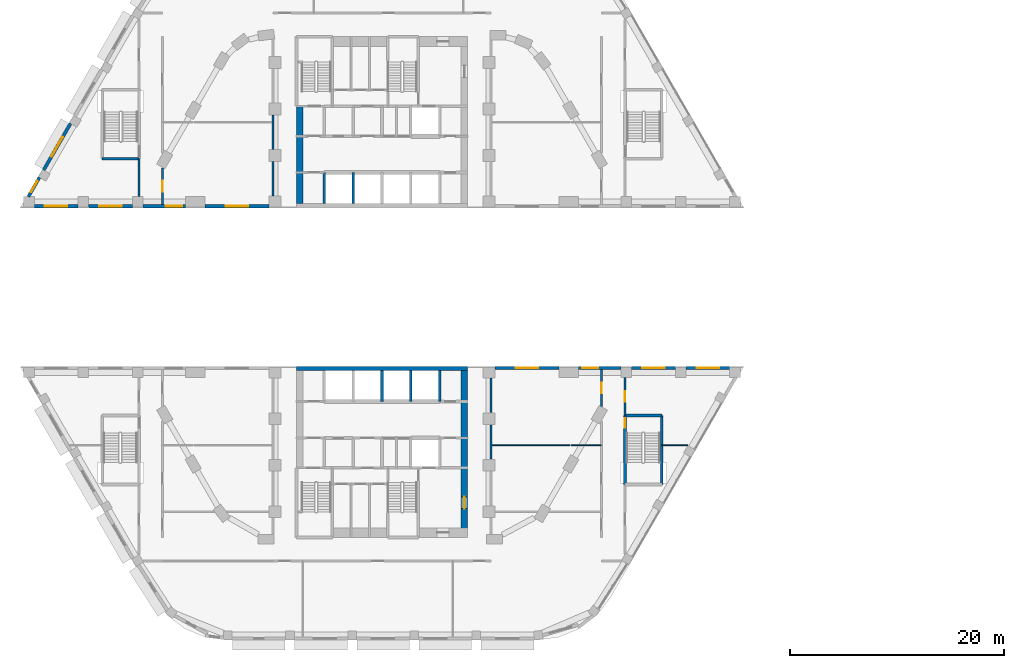
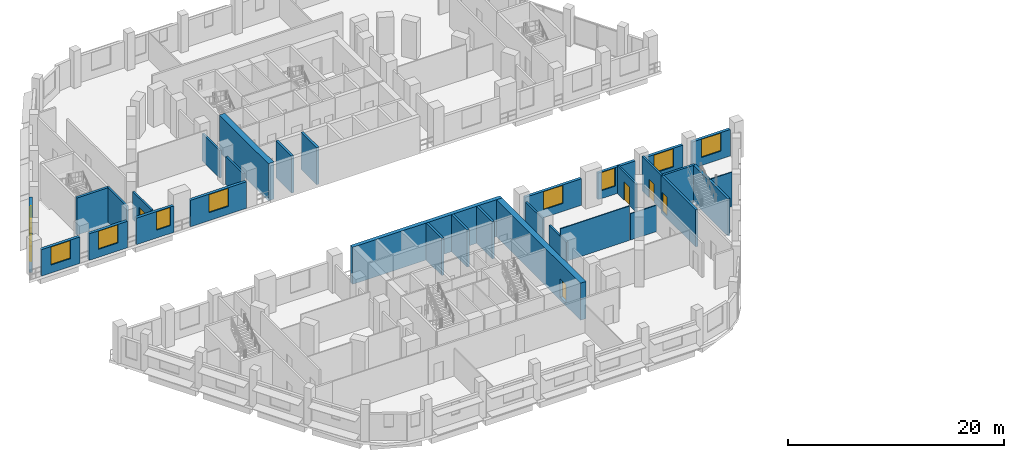
# One storey, part 22 of 47: 33 walls, 10 windows, 5 doors, 15 openings.
"""IFC4 building model written with IfcOpenShell, lengths in metres."""

from ifc_helpers import new_model, si_unit, direction, frame, frame_2d, origin, place, context, subcontext, project, spatial, rectangle, extrude, material, layer, layer_set, type_object, element, fill, save


model = new_model("IFC4")

# Units and contexts
model_context = context("Model", 3, precision=1e-05, world=origin(), true_north=direction((0.0, 1.0)))
body_context = subcontext(model_context, "Body", "Model", "MODEL_VIEW")
ifc_project = project(units=[si_unit("LENGTHUNIT", "METRE"), si_unit("AREAUNIT", "SQUARE_METRE"), si_unit("VOLUMEUNIT", "CUBIC_METRE"), si_unit("PLANEANGLEUNIT", "RADIAN"), si_unit("MASSUNIT", "GRAM", prefix="KILO")], contexts=[model_context])

# Site, building, storey
site_placement = place(None, origin())
site = spatial("IfcSite", under=ifc_project, at=site_placement, CompositionType="ELEMENT")
building_placement = place(site_placement, origin())
building = spatial("IfcBuilding", under=site, at=building_placement, Name="Nakaniwa Court", CompositionType="ELEMENT")
storey_placement = place(building_placement, frame((0.0, 0.0, 15.60009765625)))
storey = spatial("IfcBuildingStorey", under=building, at=storey_placement, Name="L03", CompositionType="ELEMENT", Elevation=15.60009765625)

# Wall, opening, door
ifc_material_1 = material(Name="Acoustic double stud partition")
ifc_layer_1 = layer(ifc_material_1, 0.199951171875)
ifc_layer_set_1 = layer_set([ifc_layer_1], Name="Acoustic double stud partition")
wall_type_1 = type_object("IfcWallType", Name="Acoustic double stud partition 200", PredefinedType="PARTITIONING", material=ifc_layer_set_1)
wall_1_placement = place(storey_placement, frame((102.699951171875, 71.532958984375, 0.0), z_axis=(0.0, 0.0, 1.0), x_axis=(0.0, -1.0, 0.0)))
wall_1 = element("IfcWall", 1, at=wall_1_placement, inside=storey, type_object=wall_type_1, Name="Partition PW-082", PredefinedType="PARTITIONING", context=body_context, shape_type="SweptSolid", body=[
    extrude(rectangle(XDim=3.535888671875, YDim=0.199951171875, at=frame_2d((1.76806640625, 0.0))), origin(), (0.0, 0.0, 1.0), 3.89990234375),
])
opening_1_placement = place(wall_1_placement, frame((1.26806640625, 0.0, 0.0)))
opening_1 = element("IfcOpeningElement", 2, at=opening_1_placement, cuts=wall_1, Name="Opening D-02-10", PredefinedType="OPENING", context=body_context, shape_type="SweptSolid", body=[
    extrude(rectangle(XDim=1.0, YDim=2.10009765625, at=frame_2d((0.5, 1.050048828125))), frame((0.0, 0.10986328125, 0.0), z_axis=(0.0, -1.0, 0.0), x_axis=(1.0, 0.0, 0.0)), (0.0, 0.0, 1.0), 0.219970703125),
])
ifc_material_2 = material(Name="Solid core timber door set, black veneer", Category="wood")
door_type_1 = type_object("IfcDoorType", Name="Internal door 1000", OperationType="NOTDEFINED", PredefinedType="DOOR", material=ifc_material_2)
door_1_placement = place(opening_1_placement, origin())
door_1 = element("IfcDoor", 3, at=door_1_placement, inside=storey, type_object=door_type_1, Name="Door D-02-10 L03-042", OperationType="SINGLE_SWING_LEFT", OverallHeight=2.10009765625, OverallWidth=1.0, PredefinedType="DOOR", context=body_context, shape_type="SweptSolid", body=[
    extrude(rectangle(XDim=1.0, YDim=2.10009765625, at=frame_2d((0.5, 1.050048828125))), frame((0.0, 0.02490234375, 0.0), z_axis=(0.0, -1.0, 0.0), x_axis=(1.0, 0.0, 0.0)), (0.0, 0.0, 1.0), 0.050048828125),
])
fill(opening_1, door_1)

wall_2_placement = place(storey_placement, frame((100.5, 68.850830078125, 0.0), z_axis=(0.0, 0.0, 1.0), x_axis=(0.0, 1.0, 0.0)))
wall_2 = element("IfcWall", 4, at=wall_2_placement, inside=storey, type_object=wall_type_1, Name="Partition PW-086", PredefinedType="PARTITIONING", context=body_context, shape_type="SweptSolid", body=[
    extrude(rectangle(XDim=3.44921875, YDim=0.199951171875, at=frame_2d((1.724609375, 0.0))), origin(), (0.0, 0.0, 1.0), 3.1298828125),
])
opening_2_placement = place(wall_2_placement, frame((1.22607421875, 0.0, 0.0)))
opening_2 = element("IfcOpeningElement", 5, at=opening_2_placement, cuts=wall_2, Name="Opening D-02-14", PredefinedType="OPENING", context=body_context, shape_type="SweptSolid", body=[
    extrude(rectangle(XDim=1.0, YDim=2.10009765625, at=frame_2d((0.5, 1.050048828125))), frame((0.0, 0.10986328125, 0.0), z_axis=(0.0, -1.0, 0.0), x_axis=(1.0, 0.0, 0.0)), (0.0, 0.0, 1.0), 0.219970703125),
])
door_2_placement = place(opening_2_placement, origin())
door_2 = element("IfcDoor", 6, at=door_2_placement, inside=storey, type_object=door_type_1, Name="Door D-02-14 L03-046", OperationType="SINGLE_SWING_LEFT", OverallHeight=2.10009765625, OverallWidth=1.0, PredefinedType="DOOR", context=body_context, shape_type="SweptSolid", body=[
    extrude(rectangle(XDim=1.0, YDim=2.10009765625, at=frame_2d((0.5, 1.050048828125))), frame((0.0, 0.02490234375, 0.0), z_axis=(0.0, -1.0, 0.0), x_axis=(1.0, 0.0, 0.0)), (0.0, 0.0, 1.0), 0.050048828125),
])
fill(opening_2, door_2)

# Wall
wall_3_placement = place(storey_placement, frame((57.300048828125, 88.467041015625, 0.0), z_axis=(0.0, 0.0, 1.0), x_axis=(0.0, 1.0, 0.0)))
element("IfcWall", 7, at=wall_3_placement, inside=storey, type_object=wall_type_1, Name="Partition PW-096", PredefinedType="PARTITIONING", context=body_context, shape_type="SweptSolid", body=[
    extrude(rectangle(XDim=3.535888671875, YDim=0.199951171875, at=frame_2d((1.76806640625, 0.0))), origin(), (0.0, 0.0, 1.0), 3.89990234375),
])

# Wall, opening, door
wall_4_placement = place(storey_placement, frame((59.5, 91.149169921875, 0.0), z_axis=(0.0, 0.0, 1.0), x_axis=(0.0, -1.0, 0.0)))
wall_4 = element("IfcWall", 8, at=wall_4_placement, inside=storey, type_object=wall_type_1, Name="Partition PW-100", PredefinedType="PARTITIONING", context=body_context, shape_type="SweptSolid", body=[
    extrude(rectangle(XDim=3.44921875, YDim=0.199951171875, at=frame_2d((1.724609375, 0.0))), origin(), (0.0, 0.0, 1.0), 3.1298828125),
])
opening_3_placement = place(wall_4_placement, frame((1.22607421875, 0.0, 0.0)))
opening_3 = element("IfcOpeningElement", 9, at=opening_3_placement, cuts=wall_4, Name="Opening D-02-05", PredefinedType="OPENING", context=body_context, shape_type="SweptSolid", body=[
    extrude(rectangle(XDim=1.0, YDim=2.10009765625, at=frame_2d((0.5, 1.050048828125))), frame((0.0, 0.10986328125, 0.0), z_axis=(0.0, -1.0, 0.0), x_axis=(1.0, 0.0, 0.0)), (0.0, 0.0, 1.0), 0.219970703125),
])
door_3_placement = place(opening_3_placement, origin())
door_3 = element("IfcDoor", 10, at=door_3_placement, inside=storey, type_object=door_type_1, Name="Door D-02-05 L03-035", OperationType="SINGLE_SWING_RIGHT", OverallHeight=2.10009765625, OverallWidth=1.0, PredefinedType="DOOR", context=body_context, shape_type="SweptSolid", body=[
    extrude(rectangle(XDim=1.0, YDim=2.10009765625, at=frame_2d((0.5, 1.050048828125))), frame((0.0, 0.02490234375, 0.0), z_axis=(0.0, -1.0, 0.0), x_axis=(1.0, 0.0, 0.0)), (0.0, 0.0, 1.0), 0.050048828125),
])
fill(opening_3, door_3)

# Walls
wall_5_placement = place(storey_placement, frame((90.199951171875, 63.9169921875, 0.0), z_axis=(0.0, 0.0, 1.0), x_axis=(0.0, 1.0, 0.0)))
element("IfcWall", 11, at=wall_5_placement, inside=storey, type_object=wall_type_1, Name="Partition PW-104", PredefinedType="PARTITIONING", context=body_context, shape_type="SweptSolid", body=[
    extrude(rectangle(XDim=3.216064453125, YDim=0.199951171875, at=frame_2d((1.60791015625, 0.0))), origin(), (0.0, 0.0, 1.0), 3.1298828125),
])
for number, where, z_axis, x_axis, name in (
    (12, (90.199951171875, 68.26708984375, 0.0), (0.0, 0.0, 1.0), (0.0, 1.0, 0.0), "Partition PW-105"),
    (13, (69.800048828125, 88.51708984375, 0.0), (0.0, 0.0, 1.0), (0.0, 1.0, 0.0), "Partition PW-114"),
):
    element("IfcWall", number, at=place(storey_placement, frame(where, z_axis=z_axis, x_axis=x_axis)), inside=storey, type_object=wall_type_1, Name=name, PredefinedType="PARTITIONING", context=body_context, shape_type="SweptSolid", body=[
        extrude(rectangle(XDim=3.2158203125, YDim=0.199951171875, at=frame_2d((1.60791015625, 0.0))), origin(), (0.0, 0.0, 1.0), 3.1298828125),
    ])
wall_6_placement = place(storey_placement, frame((69.800048828125, 92.866943359375, 0.0), z_axis=(0.0, 0.0, 1.0), x_axis=(0.0, 1.0, 0.0)))
element("IfcWall", 14, at=wall_6_placement, inside=storey, type_object=wall_type_1, Name="Partition PW-115", PredefinedType="PARTITIONING", context=body_context, shape_type="SweptSolid", body=[
    extrude(rectangle(XDim=3.216064453125, YDim=0.199951171875, at=frame_2d((1.60791015625, 0.0))), origin(), (0.0, 0.0, 1.0), 3.1298828125),
])

# Wall, opening, window
ifc_material_3 = material(Name="Charcoal ceramic cladding")
ifc_layer_2 = layer(ifc_material_3, 0.02, Name="Ceramic cladding")
ifc_material_4 = material(Name="Ventilated air cavity")
ifc_layer_3 = layer(ifc_material_4, 0.04, ventilated=True, Name="Ventilated cavity")
ifc_material_5 = material(Name="Mineral wool insulation")
ifc_layer_4 = layer(ifc_material_5, 0.1, Name="Insulation")
ifc_material_6 = material(Name="Cement bonded sheathing board")
ifc_layer_5 = layer(ifc_material_6, 0.012, Name="Sheathing")
ifc_material_7 = material(Name="Cold-formed galvanised stud frame with mineral wool infill")
ifc_layer_6 = layer(ifc_material_7, 0.1, Name="Stud frame")
ifc_material_8 = material(Name="Fire-rated gypsum plasterboard lining")
ifc_layer_7 = layer(ifc_material_8, 0.028, Name="Lining")
ifc_layer_set_2 = layer_set([ifc_layer_2, ifc_layer_3, ifc_layer_4, ifc_layer_5, ifc_layer_6, ifc_layer_7], Name="Charcoal ceramic faced external wall system")
wall_type_2 = type_object("IfcWallType", Name="Black ceramic faced external wall 300", PredefinedType="SOLIDWALL", material=ifc_layer_set_2)
wall_7_placement = place(storey_placement, frame((112.5, 72.449951171875, 0.0), z_axis=(0.0, 0.0, 1.0), x_axis=(-1.0, 0.0, 0.0)))
wall_7 = element("IfcWall", 15, at=wall_7_placement, inside=storey, type_object=wall_type_2, Name="L03 external wall 04", PredefinedType="SOLIDWALL", context=body_context, shape_type="SweptSolid", body=[
    extrude(rectangle(XDim=4.094970703125, YDim=0.300048828125, at=frame_2d((2.04736328125, 0.0))), origin(), (0.0, 0.0, 1.0), 3.0),
])
opening_4_placement = place(wall_7_placement, frame((0.99755859375, 0.0, 0.89990234375)))
opening_4 = element("IfcOpeningElement", 16, at=opening_4_placement, cuts=wall_7, Name="Opening W2.01", PredefinedType="OPENING", context=body_context, shape_type="SweptSolid", body=[
    extrude(rectangle(XDim=2.10009765625, YDim=2.050048828125, at=frame_2d((1.050048828125, 1.02490234375))), frame((0.0, 0.159912109375, 0.0), z_axis=(0.0, -1.0, 0.0), x_axis=(1.0, 0.0, 0.0)), (0.0, 0.0, 1.0), 0.320068359375),
])
ifc_material_9 = material(Name="Black anodised aluminium frame with dark low-E laminated double glazing", Category="aluminium")
window_type_1 = type_object("IfcWindowType", Name="Dark glass window 2100x2050 sill 900", PartitioningType="SINGLE_PANEL", PredefinedType="WINDOW", material=ifc_material_9)
window_1_placement = place(opening_4_placement, origin())
window_1 = element("IfcWindow", 17, at=window_1_placement, inside=storey, type_object=window_type_1, Name="L03 habitable room window 04-0", OverallHeight=2.050048828125, OverallWidth=2.10009765625, PartitioningType="SINGLE_PANEL", PredefinedType="WINDOW", context=body_context, shape_type="SweptSolid", body=[
    extrude(rectangle(XDim=2.10009765625, YDim=2.050048828125, at=frame_2d((1.050048828125, 1.02490234375))), frame((0.0, 0.030029296875, 0.0), z_axis=(0.0, -1.0, 0.0), x_axis=(1.0, 0.0, 0.0)), (0.0, 0.0, 1.0), 0.06005859375),
])
fill(opening_4, window_1)

wall_8_placement = place(storey_placement, frame((107.4130859375, 72.449951171875, 0.0), z_axis=(0.0, 0.0, 1.0), x_axis=(-1.0, 0.0, 0.0)))
wall_8 = element("IfcWall", 18, at=wall_8_placement, inside=storey, type_object=wall_type_2, Name="L03 external wall 05", PredefinedType="SOLIDWALL", context=body_context, shape_type="SweptSolid", body=[
    extrude(rectangle(XDim=4.093994140625, YDim=0.300048828125, at=frame_2d((2.046875, 0.0))), origin(), (0.0, 0.0, 1.0), 3.0),
])
opening_5_placement = place(wall_8_placement, frame((0.9970703125, 0.0, 0.89990234375)))
opening_5 = element("IfcOpeningElement", 19, at=opening_5_placement, cuts=wall_8, Name="Opening W2.02", PredefinedType="OPENING", context=body_context, shape_type="SweptSolid", body=[
    extrude(rectangle(XDim=2.10009765625, YDim=2.050048828125, at=frame_2d((1.050048828125, 1.02490234375))), frame((0.0, 0.159912109375, 0.0), z_axis=(0.0, -1.0, 0.0), x_axis=(1.0, 0.0, 0.0)), (0.0, 0.0, 1.0), 0.320068359375),
])
window_2_placement = place(opening_5_placement, origin())
window_2 = element("IfcWindow", 20, at=window_2_placement, inside=storey, type_object=window_type_1, Name="L03 habitable room window 05-0", OverallHeight=2.050048828125, OverallWidth=2.10009765625, PartitioningType="SINGLE_PANEL", PredefinedType="WINDOW", context=body_context, shape_type="SweptSolid", body=[
    extrude(rectangle(XDim=2.10009765625, YDim=2.050048828125, at=frame_2d((1.050048828125, 1.02490234375))), frame((0.0, 0.030029296875, 0.0), z_axis=(0.0, -1.0, 0.0), x_axis=(1.0, 0.0, 0.0)), (0.0, 0.0, 1.0), 0.06005859375),
])
fill(opening_5, window_2)

wall_9_placement = place(storey_placement, frame((102.326904296875, 72.449951171875, 0.0), z_axis=(0.0, 0.0, 1.0), x_axis=(-1.0, 0.0, 0.0)))
wall_9 = element("IfcWall", 21, at=wall_9_placement, inside=storey, type_object=wall_type_2, Name="L03 external wall 06", PredefinedType="SOLIDWALL", context=body_context, shape_type="SweptSolid", body=[
    extrude(rectangle(XDim=3.972900390625, YDim=0.300048828125, at=frame_2d((1.986328125, 0.0))), origin(), (0.0, 0.0, 1.0), 3.0),
])
opening_6_placement = place(wall_9_placement, frame((2.137939453125, 0.0, 0.89990234375)))
opening_6 = element("IfcOpeningElement", 22, at=opening_6_placement, cuts=wall_9, Name="Opening W4.03", PredefinedType="OPENING", context=body_context, shape_type="SweptSolid", body=[
    extrude(rectangle(XDim=1.5, YDim=2.050048828125, at=frame_2d((0.75, 1.02490234375))), frame((0.0, 0.159912109375, 0.0), z_axis=(0.0, -1.0, 0.0), x_axis=(1.0, 0.0, 0.0)), (0.0, 0.0, 1.0), 0.320068359375),
])
window_type_2 = type_object("IfcWindowType", Name="Dark glass window 1500x2050 sill 900", PartitioningType="SINGLE_PANEL", PredefinedType="WINDOW", material=ifc_material_9)
window_3_placement = place(opening_6_placement, origin())
window_3 = element("IfcWindow", 23, at=window_3_placement, inside=storey, type_object=window_type_2, Name="L03 habitable room window 06-1", OverallHeight=2.050048828125, OverallWidth=1.5, PartitioningType="SINGLE_PANEL", PredefinedType="WINDOW", context=body_context, shape_type="SweptSolid", body=[
    extrude(rectangle(XDim=1.5, YDim=2.050048828125, at=frame_2d((0.75, 1.02490234375))), frame((0.0, 0.030029296875, 0.0), z_axis=(0.0, -1.0, 0.0), x_axis=(1.0, 0.0, 0.0)), (0.0, 0.0, 1.0), 0.06005859375),
])
fill(opening_6, window_3)

wall_10_placement = place(storey_placement, frame((96.56201171875, 72.449951171875, 0.0), z_axis=(0.0, 0.0, 1.0), x_axis=(-1.0, 0.0, 0.0)))
wall_10 = element("IfcWall", 24, at=wall_10_placement, inside=storey, type_object=wall_type_2, Name="L03 external wall 07", PredefinedType="SOLIDWALL", context=body_context, shape_type="SweptSolid", body=[
    extrude(rectangle(XDim=6.01611328125, YDim=0.300048828125, at=frame_2d((3.008056640625, 0.0))), origin(), (0.0, 0.0, 1.0), 3.0),
])
opening_7_placement = place(wall_10_placement, frame((1.9580078125, 0.0, 0.89990234375)))
opening_7 = element("IfcOpeningElement", 25, at=opening_7_placement, cuts=wall_10, Name="Opening W2.04", PredefinedType="OPENING", context=body_context, shape_type="SweptSolid", body=[
    extrude(rectangle(XDim=2.10009765625, YDim=2.050048828125, at=frame_2d((1.050048828125, 1.02490234375))), frame((0.0, 0.159912109375, 0.0), z_axis=(0.0, -1.0, 0.0), x_axis=(1.0, 0.0, 0.0)), (0.0, 0.0, 1.0), 0.320068359375),
])
window_4_placement = place(opening_7_placement, origin())
window_4 = element("IfcWindow", 26, at=window_4_placement, inside=storey, type_object=window_type_1, Name="L03 habitable room window 07-0", OverallHeight=2.050048828125, OverallWidth=2.10009765625, PartitioningType="SINGLE_PANEL", PredefinedType="WINDOW", context=body_context, shape_type="SweptSolid", body=[
    extrude(rectangle(XDim=2.10009765625, YDim=2.050048828125, at=frame_2d((1.050048828125, 1.02490234375))), frame((0.0, 0.030029296875, 0.0), z_axis=(0.0, -1.0, 0.0), x_axis=(1.0, 0.0, 0.0)), (0.0, 0.0, 1.0), 0.06005859375),
])
fill(opening_7, window_4)

wall_11_placement = place(storey_placement, frame((50.891357421875, 95.2822265625, 0.0), z_axis=(0.0, 0.0, 1.0), x_axis=(-0.500011252833, -0.866018906861, 0.0)))
wall_11 = element("IfcWall", 27, at=wall_11_placement, inside=storey, type_object=wall_type_2, Name="L03 external wall 29", PredefinedType="SOLIDWALL", context=body_context, shape_type="SweptSolid", body=[
    extrude(rectangle(XDim=5.02490234375, YDim=0.300048828125, at=frame_2d((2.512451171875, 0.0))), origin(), (0.0, 0.0, 1.0), 3.0),
])
opening_8_placement = place(wall_11_placement, frame((1.46240234375, 0.0, 0.89990234375)))
opening_8 = element("IfcOpeningElement", 28, at=opening_8_placement, cuts=wall_11, Name="Opening W2.24", PredefinedType="OPENING", context=body_context, shape_type="SweptSolid", body=[
    extrude(rectangle(XDim=2.10009765625, YDim=2.050048828125, at=frame_2d((1.050048828125, 1.02490234375))), frame((0.0, 0.159912109375, 0.0), z_axis=(0.0, -1.0, 0.0), x_axis=(1.0, 0.0, 0.0)), (0.0, 0.0, 1.0), 0.320068359375),
])
window_5_placement = place(opening_8_placement, origin())
window_5 = element("IfcWindow", 29, at=window_5_placement, inside=storey, type_object=window_type_1, Name="L03 habitable room window 29-0", OverallHeight=2.050048828125, OverallWidth=2.10009765625, PartitioningType="SINGLE_PANEL", PredefinedType="WINDOW", context=body_context, shape_type="SweptSolid", body=[
    extrude(rectangle(XDim=2.10009765625, YDim=2.050048828125, at=frame_2d((1.050048828125, 1.02490234375))), frame((0.0, 0.030029296875, 0.0), z_axis=(0.0, -1.0, 0.0), x_axis=(1.0, 0.0, 0.0)), (0.0, 0.0, 1.0), 0.06005859375),
])
fill(opening_8, window_5)

wall_12_placement = place(storey_placement, frame((47.98291015625, 90.244873046875, 0.0), z_axis=(0.0, 0.0, 1.0), x_axis=(-0.500020978615, -0.866013291437, 0.0)))
wall_12 = element("IfcWall", 30, at=wall_12_placement, inside=storey, type_object=wall_type_2, Name="L03 external wall 30", PredefinedType="SOLIDWALL", context=body_context, shape_type="SweptSolid", body=[
    extrude(rectangle(XDim=2.07666015625, YDim=0.300048828125, at=frame_2d((1.038330078125, 0.0))), origin(), (0.0, 0.0, 1.0), 3.0),
])
opening_9_placement = place(wall_12_placement, frame((0.3876953125, 0.0, 0.89990234375)))
opening_9 = element("IfcOpeningElement", 31, at=opening_9_placement, cuts=wall_12, Name="Opening W1.25", PredefinedType="OPENING", context=body_context, shape_type="SweptSolid", body=[
    extrude(rectangle(XDim=1.199951171875, YDim=2.050048828125, at=frame_2d((0.60009765625, 1.02490234375))), frame((0.0, 0.159912109375, 0.0), z_axis=(0.0, -1.0, 0.0), x_axis=(1.0, 0.0, 0.0)), (0.0, 0.0, 1.0), 0.320068359375),
])
window_type_3 = type_object("IfcWindowType", Name="Dark glass window 1200x2050 sill 900", PartitioningType="SINGLE_PANEL", PredefinedType="WINDOW", material=ifc_material_9)
window_6_placement = place(opening_9_placement, origin())
window_6 = element("IfcWindow", 32, at=window_6_placement, inside=storey, type_object=window_type_3, Name="L03 habitable room window 30-0", OverallHeight=2.050048828125, OverallWidth=1.199951171875, PartitioningType="SINGLE_PANEL", PredefinedType="WINDOW", context=body_context, shape_type="SweptSolid", body=[
    extrude(rectangle(XDim=1.199951171875, YDim=2.050048828125, at=frame_2d((0.60009765625, 1.02490234375))), frame((0.0, 0.030029296875, 0.0), z_axis=(0.0, -1.0, 0.0), x_axis=(1.0, 0.0, 0.0)), (0.0, 0.0, 1.0), 0.06005859375),
])
fill(opening_9, window_6)

wall_13_placement = place(storey_placement, frame((47.5, 87.550048828125, 0.0), z_axis=(0.0, 0.0, 1.0), x_axis=(1.0, 0.0, 0.0)))
wall_13 = element("IfcWall", 33, at=wall_13_placement, inside=storey, type_object=wall_type_2, Name="L03 external wall 31", PredefinedType="SOLIDWALL", context=body_context, shape_type="SweptSolid", body=[
    extrude(rectangle(XDim=4.094970703125, YDim=0.300048828125, at=frame_2d((2.04736328125, 0.0))), origin(), (0.0, 0.0, 1.0), 3.0),
])
opening_10_placement = place(wall_13_placement, frame((0.99755859375, 0.0, 0.89990234375)))
opening_10 = element("IfcOpeningElement", 34, at=opening_10_placement, cuts=wall_13, Name="Opening W2.26", PredefinedType="OPENING", context=body_context, shape_type="SweptSolid", body=[
    extrude(rectangle(XDim=2.10009765625, YDim=2.050048828125, at=frame_2d((1.050048828125, 1.02490234375))), frame((0.0, 0.159912109375, 0.0), z_axis=(0.0, -1.0, 0.0), x_axis=(1.0, 0.0, 0.0)), (0.0, 0.0, 1.0), 0.320068359375),
])
window_7_placement = place(opening_10_placement, origin())
window_7 = element("IfcWindow", 35, at=window_7_placement, inside=storey, type_object=window_type_1, Name="L03 habitable room window 31-0", OverallHeight=2.050048828125, OverallWidth=2.10009765625, PartitioningType="SINGLE_PANEL", PredefinedType="WINDOW", context=body_context, shape_type="SweptSolid", body=[
    extrude(rectangle(XDim=2.10009765625, YDim=2.050048828125, at=frame_2d((1.050048828125, 1.02490234375))), frame((0.0, 0.030029296875, 0.0), z_axis=(0.0, -1.0, 0.0), x_axis=(1.0, 0.0, 0.0)), (0.0, 0.0, 1.0), 0.06005859375),
])
fill(opening_10, window_7)

wall_14_placement = place(storey_placement, frame((52.5869140625, 87.550048828125, 0.0), z_axis=(0.0, 0.0, 1.0), x_axis=(1.0, 0.0, 0.0)))
wall_14 = element("IfcWall", 36, at=wall_14_placement, inside=storey, type_object=wall_type_2, Name="L03 external wall 32", PredefinedType="SOLIDWALL", context=body_context, shape_type="SweptSolid", body=[
    extrude(rectangle(XDim=4.093994140625, YDim=0.300048828125, at=frame_2d((2.046875, 0.0))), origin(), (0.0, 0.0, 1.0), 3.0),
])
opening_11_placement = place(wall_14_placement, frame((0.9970703125, 0.0, 0.89990234375)))
opening_11 = element("IfcOpeningElement", 37, at=opening_11_placement, cuts=wall_14, Name="Opening W2.27", PredefinedType="OPENING", context=body_context, shape_type="SweptSolid", body=[
    extrude(rectangle(XDim=2.10009765625, YDim=2.050048828125, at=frame_2d((1.050048828125, 1.02490234375))), frame((0.0, 0.159912109375, 0.0), z_axis=(0.0, -1.0, 0.0), x_axis=(1.0, 0.0, 0.0)), (0.0, 0.0, 1.0), 0.320068359375),
])
window_8_placement = place(opening_11_placement, origin())
window_8 = element("IfcWindow", 38, at=window_8_placement, inside=storey, type_object=window_type_1, Name="L03 habitable room window 32-0", OverallHeight=2.050048828125, OverallWidth=2.10009765625, PartitioningType="SINGLE_PANEL", PredefinedType="WINDOW", context=body_context, shape_type="SweptSolid", body=[
    extrude(rectangle(XDim=2.10009765625, YDim=2.050048828125, at=frame_2d((1.050048828125, 1.02490234375))), frame((0.0, 0.030029296875, 0.0), z_axis=(0.0, -1.0, 0.0), x_axis=(1.0, 0.0, 0.0)), (0.0, 0.0, 1.0), 0.06005859375),
])
fill(opening_11, window_8)

wall_15_placement = place(storey_placement, frame((57.673095703125, 87.550048828125, 0.0), z_axis=(0.0, 0.0, 1.0), x_axis=(1.0, 0.0, 0.0)))
wall_15 = element("IfcWall", 39, at=wall_15_placement, inside=storey, type_object=wall_type_2, Name="L03 external wall 33", PredefinedType="SOLIDWALL", context=body_context, shape_type="SweptSolid", body=[
    extrude(rectangle(XDim=3.972900390625, YDim=0.300048828125, at=frame_2d((1.986328125, 0.0))), origin(), (0.0, 0.0, 1.0), 3.0),
])
opening_12_placement = place(wall_15_placement, frame((2.137939453125, 0.0, 0.89990234375)))
opening_12 = element("IfcOpeningElement", 40, at=opening_12_placement, cuts=wall_15, Name="Opening W4.28", PredefinedType="OPENING", context=body_context, shape_type="SweptSolid", body=[
    extrude(rectangle(XDim=1.5, YDim=2.050048828125, at=frame_2d((0.75, 1.02490234375))), frame((0.0, 0.159912109375, 0.0), z_axis=(0.0, -1.0, 0.0), x_axis=(1.0, 0.0, 0.0)), (0.0, 0.0, 1.0), 0.320068359375),
])
window_9_placement = place(opening_12_placement, origin())
window_9 = element("IfcWindow", 41, at=window_9_placement, inside=storey, type_object=window_type_2, Name="L03 habitable room window 33-1", OverallHeight=2.050048828125, OverallWidth=1.5, PartitioningType="SINGLE_PANEL", PredefinedType="WINDOW", context=body_context, shape_type="SweptSolid", body=[
    extrude(rectangle(XDim=1.5, YDim=2.050048828125, at=frame_2d((0.75, 1.02490234375))), frame((0.0, 0.030029296875, 0.0), z_axis=(0.0, -1.0, 0.0), x_axis=(1.0, 0.0, 0.0)), (0.0, 0.0, 1.0), 0.06005859375),
])
fill(opening_12, window_9)

wall_16_placement = place(storey_placement, frame((63.43798828125, 87.550048828125, 0.0), z_axis=(0.0, 0.0, 1.0), x_axis=(1.0, 0.0, 0.0)))
wall_16 = element("IfcWall", 42, at=wall_16_placement, inside=storey, type_object=wall_type_2, Name="L03 external wall 34", PredefinedType="SOLIDWALL", context=body_context, shape_type="SweptSolid", body=[
    extrude(rectangle(XDim=6.01611328125, YDim=0.300048828125, at=frame_2d((3.008056640625, 0.0))), origin(), (0.0, 0.0, 1.0), 3.0),
])
opening_13_placement = place(wall_16_placement, frame((1.9580078125, 0.0, 0.89990234375)))
opening_13 = element("IfcOpeningElement", 43, at=opening_13_placement, cuts=wall_16, Name="Opening W2.29", PredefinedType="OPENING", context=body_context, shape_type="SweptSolid", body=[
    extrude(rectangle(XDim=2.10009765625, YDim=2.050048828125, at=frame_2d((1.050048828125, 1.02490234375))), frame((0.0, 0.159912109375, 0.0), z_axis=(0.0, -1.0, 0.0), x_axis=(1.0, 0.0, 0.0)), (0.0, 0.0, 1.0), 0.320068359375),
])
window_10_placement = place(opening_13_placement, origin())
window_10 = element("IfcWindow", 44, at=window_10_placement, inside=storey, type_object=window_type_1, Name="L03 habitable room window 34-0", OverallHeight=2.050048828125, OverallWidth=2.10009765625, PartitioningType="SINGLE_PANEL", PredefinedType="WINDOW", context=body_context, shape_type="SweptSolid", body=[
    extrude(rectangle(XDim=2.10009765625, YDim=2.050048828125, at=frame_2d((1.050048828125, 1.02490234375))), frame((0.0, 0.030029296875, 0.0), z_axis=(0.0, -1.0, 0.0), x_axis=(1.0, 0.0, 0.0)), (0.0, 0.0, 1.0), 0.06005859375),
])
fill(opening_13, window_10)

# Wall
ifc_material_10 = material(Name="Concrete C100/115", Category="concrete")
ifc_layer_8 = layer(ifc_material_10, 0.60009765625)
ifc_layer_set_3 = layer_set([ifc_layer_8], Name="Concrete C100/115")
wall_type_3 = type_object("IfcWallType", Name="Concrete core side wall 600 C100", PredefinedType="SHEAR", material=ifc_layer_set_3)
wall_17_placement = place(storey_placement, frame((72.300048828125, 87.800048828125, -0.300048828125), z_axis=(0.0, 0.0, 1.0), x_axis=(0.0, 1.0, 0.0)))
element("IfcWall", 45, at=wall_17_placement, inside=storey, type_object=wall_type_3, Name="Core wall SW-04", PredefinedType="SHEAR", context=body_context, shape_type="SweptSolid", body=[
    extrude(rectangle(XDim=9.099853515625, YDim=0.60009765625, at=frame_2d((4.5498046875, 0.0))), origin(), (0.0, 0.0, 1.0), 4.199951171875),
])

# Wall, opening, door
wall_18_placement = place(storey_placement, frame((87.699951171875, 72.199951171875, -0.300048828125), z_axis=(0.0, 0.0, 1.0), x_axis=(0.0, -1.0, 0.0)))
wall_18 = element("IfcWall", 46, at=wall_18_placement, inside=storey, type_object=wall_type_3, Name="Core wall SW-54", PredefinedType="SHEAR", context=body_context, shape_type="SweptSolid", body=[
    extrude(rectangle(XDim=15.599853515625, YDim=0.60009765625, at=frame_2d((7.7998046875, 0.0))), origin(), (0.0, 0.0, 1.0), 4.199951171875),
])
opening_14_placement = place(wall_18_placement, frame((11.800048828125, 0.0, 0.300048828125)))
opening_14 = element("IfcOpeningElement", 47, at=opening_14_placement, cuts=wall_18, Name="Opening D-10-03", PredefinedType="OPENING", context=body_context, shape_type="SweptSolid", body=[
    extrude(rectangle(XDim=1.10009765625, YDim=2.10009765625, at=frame_2d((0.550048828125, 1.050048828125))), frame((0.0, 0.31005859375, 0.0), z_axis=(0.0, -1.0, 0.0), x_axis=(1.0, 0.0, 0.0)), (0.0, 0.0, 1.0), 0.6201171875),
])
ifc_material_11 = material(Name="Fire rated steel door set", Category="steel")
door_type_2 = type_object("IfcDoorType", Name="Firefighting lobby door 1100", OperationType="NOTDEFINED", PredefinedType="DOOR", material=ifc_material_11)
door_4_placement = place(opening_14_placement, origin())
door_4 = element("IfcDoor", 48, at=door_4_placement, inside=storey, type_object=door_type_2, Name="Door D-10-03 L03-057", OperationType="SINGLE_SWING_RIGHT", OverallHeight=2.10009765625, OverallWidth=1.10009765625, PredefinedType="DOOR", context=body_context, shape_type="SweptSolid", body=[
    extrude(rectangle(XDim=1.10009765625, YDim=2.10009765625, at=frame_2d((0.550048828125, 1.050048828125))), frame((0.0, 0.02490234375, 0.0), z_axis=(0.0, -1.0, 0.0), x_axis=(1.0, 0.0, 0.0)), (0.0, 0.0, 1.0), 0.050048828125),
])
fill(opening_14, door_4)

ifc_layer_9 = layer(ifc_material_10, 0.25)
ifc_layer_set_4 = layer_set([ifc_layer_9], Name="Concrete C100/115")
wall_type_4 = type_object("IfcWallType", Name="Concrete core wall 250 C100", PredefinedType="SHEAR", material=ifc_layer_set_4)
wall_19_placement = place(storey_placement, frame((102.699951171875, 61.547119140625, -0.300048828125), z_axis=(0.0, 0.0, 1.0), x_axis=(0.0, 1.0, 0.0)))
wall_19 = element("IfcWall", 49, at=wall_19_placement, inside=storey, type_object=wall_type_4, Name="Core wall SW-79", PredefinedType="SHEAR", context=body_context, shape_type="SweptSolid", body=[
    extrude(rectangle(XDim=6.455810546875, YDim=0.25, at=frame_2d((3.22802734375, 0.0))), origin(), (0.0, 0.0, 1.0), 4.199951171875),
])
opening_15_placement = place(wall_19_placement, frame((5.305908203125, 0.0, 0.300048828125)))
opening_15 = element("IfcOpeningElement", 50, at=opening_15_placement, cuts=wall_19, Name="Opening D-11-05", PredefinedType="OPENING", context=body_context, shape_type="SweptSolid", body=[
    extrude(rectangle(XDim=0.89990234375, YDim=2.10009765625, at=frame_2d((0.449951171875, 1.050048828125))), frame((0.0, 0.135009765625, 0.0), z_axis=(0.0, -1.0, 0.0), x_axis=(1.0, 0.0, 0.0)), (0.0, 0.0, 1.0), 0.27001953125),
])
door_type_3 = type_object("IfcDoorType", Name="Stair door 900", OperationType="NOTDEFINED", PredefinedType="DOOR", material=ifc_material_11)
door_5_placement = place(opening_15_placement, origin())
door_5 = element("IfcDoor", 51, at=door_5_placement, inside=storey, type_object=door_type_3, Name="Door D-11-05 L03-040", OperationType="SINGLE_SWING_RIGHT", OverallHeight=2.10009765625, OverallWidth=0.89990234375, PredefinedType="DOOR", context=body_context, shape_type="SweptSolid", body=[
    extrude(rectangle(XDim=0.89990234375, YDim=2.10009765625, at=frame_2d((0.449951171875, 1.050048828125))), frame((0.0, 0.02490234375, 0.0), z_axis=(0.0, -1.0, 0.0), x_axis=(1.0, 0.0, 0.0)), (0.0, 0.0, 1.0), 0.050048828125),
])
fill(opening_15, door_5)

# Walls
wall_20_placement = place(storey_placement, frame((106.14990234375, 61.550048828125, -0.300048828125), z_axis=(0.0, 0.0, 1.0), x_axis=(0.0, 1.0, 0.0)))
element("IfcWall", 52, at=wall_20_placement, inside=storey, type_object=wall_type_4, Name="Core wall SW-118", PredefinedType="SHEAR", context=body_context, shape_type="SweptSolid", body=[
    extrude(rectangle(XDim=6.449951171875, YDim=0.25, at=frame_2d((3.22509765625, 0.0))), origin(), (0.0, 0.0, 1.0), 4.199951171875),
])
for number, where, z_axis, x_axis, name in (
    (53, (53.85009765625, 92.0, -0.300048828125), (0.0, 0.0, 1.0), (1.0, 0.0, 0.0), "Core wall SW-122"),
    (54, (102.699951171875, 68.0, -0.300048828125), (0.0, 0.0, 1.0), (1.0, 0.0, 0.0), "Core wall SW-136"),
):
    element("IfcWall", number, at=place(storey_placement, frame(where, z_axis=z_axis, x_axis=x_axis)), inside=storey, type_object=wall_type_4, Name=name, PredefinedType="SHEAR", context=body_context, shape_type="SweptSolid", body=[
        extrude(rectangle(XDim=3.449951171875, YDim=0.25, at=frame_2d((1.72509765625, 0.0))), origin(), (0.0, 0.0, 1.0), 4.199951171875),
    ])
ifc_layer_10 = layer(ifc_material_10, 0.39990234375)
ifc_layer_set_5 = layer_set([ifc_layer_10], Name="Concrete C100/115")
wall_type_5 = type_object("IfcWallType", Name="Concrete core well wall 400 C100", PredefinedType="SHEAR", material=ifc_layer_set_5)
wall_21_placement = place(storey_placement, frame((72.00390625, 72.39990234375, -0.300048828125), z_axis=(0.0, 0.0, 1.0), x_axis=(1.0, 0.0, 0.0)))
element("IfcWall", 55, at=wall_21_placement, inside=storey, type_object=wall_type_5, Name="Core wall SW-153", PredefinedType="SHEAR", context=body_context, shape_type="SweptSolid", body=[
    extrude(rectangle(XDim=15.9921875, YDim=0.39990234375, at=frame_2d((7.99609375, 0.0))), origin(), (0.0, 0.0, 1.0), 4.199951171875),
])
ifc_layer_11 = layer(ifc_material_10, 0.25)
ifc_layer_set_6 = layer_set([ifc_layer_11], Name="Concrete C100/115")
wall_type_6 = type_object("IfcWallType", Name="Concrete shaft wall 250 C100", PredefinedType="SHEAR", material=ifc_layer_set_6)
for number, where, z_axis, x_axis, name in (
    (56, (74.60009765625, 87.800048828125, -0.300048828125), (0.0, 0.0, 1.0), (0.0, 1.0, 0.0), "Core wall SW-01"),
    (57, (77.300048828125, 87.800048828125, -0.300048828125), (0.0, 0.0, 1.0), (0.0, 1.0, 0.0), "Core wall SW-05"),
    (58, (80.0, 69.300048828125, -0.300048828125), (0.0, 0.0, 1.0), (0.0, 1.0, 0.0), "Core wall SW-48"),
    (59, (82.699951171875, 69.300048828125, -0.300048828125), (0.0, 0.0, 1.0), (0.0, 1.0, 0.0), "Core wall SW-50"),
    (60, (85.39990234375, 69.300048828125, -0.300048828125), (0.0, 0.0, 1.0), (0.0, 1.0, 0.0), "Core wall SW-52"),
):
    element("IfcWall", number, at=place(storey_placement, frame(where, z_axis=z_axis, x_axis=x_axis)), inside=storey, type_object=wall_type_6, Name=name, PredefinedType="SHEAR", context=body_context, shape_type="SweptSolid", body=[
        extrude(rectangle(XDim=2.89990234375, YDim=0.25, at=frame_2d((1.449951171875, 0.0))), origin(), (0.0, 0.0, 1.0), 4.199951171875),
    ])
ifc_material_12 = material(Name="Single stud plasterboard partition")
ifc_layer_12 = layer(ifc_material_12, 0.10009765625)
ifc_layer_set_7 = layer_set([ifc_layer_12], Name="Single stud plasterboard partition")
wall_type_7 = type_object("IfcWallType", Name="Single stud plasterboard partition 100", PredefinedType="PARTITIONING", material=ifc_layer_set_7)
wall_22_placement = place(storey_placement, frame((90.199951171875, 65.199951171875, 0.0), z_axis=(0.0, 0.0, 1.0), x_axis=(1.0, 0.0, 0.0)))
element("IfcWall", 61, at=wall_22_placement, inside=storey, type_object=wall_type_7, Name="Partition PW-142", PredefinedType="PARTITIONING", context=body_context, shape_type="SweptSolid", body=[
    extrude(rectangle(XDim=7.366455078125, YDim=0.10009765625, at=frame_2d((3.68310546875, 0.0))), origin(), (0.0, 0.0, 1.0), 3.89990234375),
])
wall_23_placement = place(storey_placement, frame((97.680419921875, 65.199951171875, 0.0), z_axis=(0.0, 0.0, 1.0), x_axis=(1.0, 0.0, 0.0)))
element("IfcWall", 62, at=wall_23_placement, inside=storey, type_object=wall_type_7, Name="Partition PW-143", PredefinedType="PARTITIONING", context=body_context, shape_type="SweptSolid", body=[
    extrude(rectangle(XDim=2.819580078125, YDim=0.10009765625, at=frame_2d((1.40966796875, 0.0))), origin(), (0.0, 0.0, 1.0), 2.97998046875),
])
wall_24_placement = place(storey_placement, frame((106.14990234375, 65.199951171875, 0.0), z_axis=(0.0, 0.0, 1.0), x_axis=(1.0, 0.0, 0.0)))
element("IfcWall", 63, at=wall_24_placement, inside=storey, type_object=wall_type_7, Name="Partition PW-144", PredefinedType="PARTITIONING", context=body_context, shape_type="SweptSolid", body=[
    extrude(rectangle(XDim=2.40576171875, YDim=0.10009765625, at=frame_2d((1.202880859375, 0.0))), origin(), (0.0, 0.0, 1.0), 3.89990234375),
])

save(model, "model.ifc")
